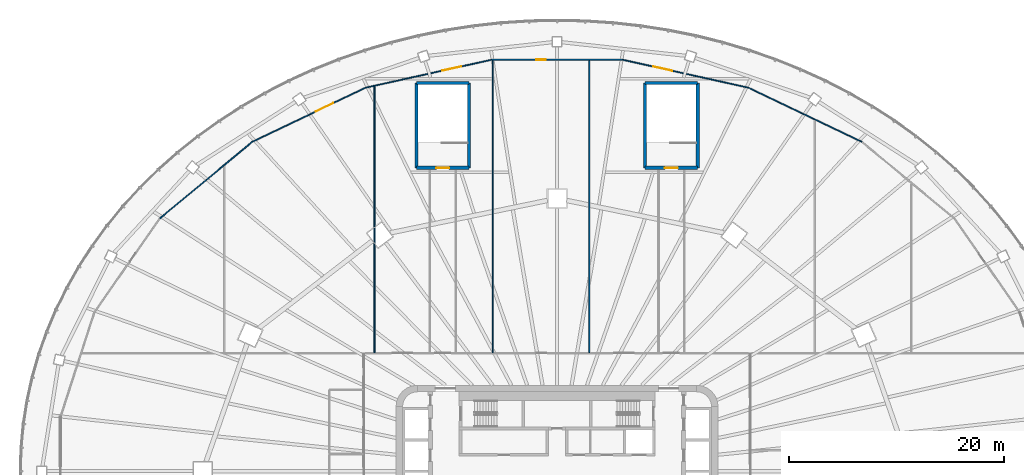
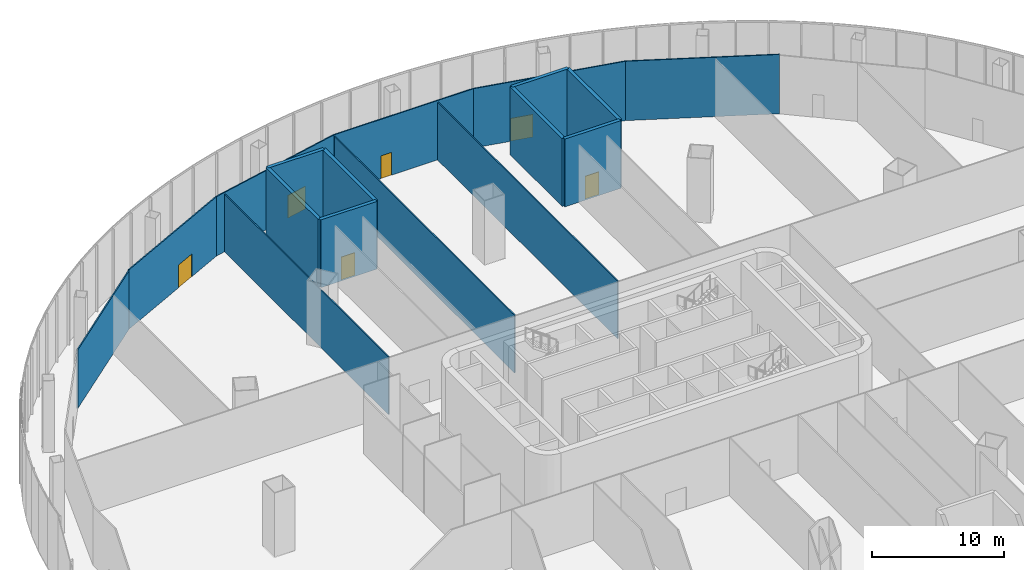
# One storey, part 26 of 33: 17 walls, 6 doors, 6 openings.
"""IFC4 building model written with IfcOpenShell, lengths in metres."""

import ifcopenshell
import ifcopenshell.guid

model = None  # the IFC model being written
_history = None  # IfcOwnerHistory: only IFC2X3 demands one
_inside = {}  # id of a spatial element -> (the spatial element, [elements in it])
_under = {}  # id of a project, library or spatial element -> (it, [spatial elements below it])
_declared = {}  # id of a project -> (the project, [libraries it declares])
_typed = {}  # id of a type object -> (the type object, [elements of that type])
_made_of = {}  # id of a material, layer set ... -> (it, [elements and type objects made of it])


def new_model(schema):
    """Start an empty IFC model of exactly this schema.

    Asked for "IFC4X3", IfcOpenShell would pick the latest addendum, in which some entities
    have other attributes; the version numbers below select the first issue.
    IFC2X3 requires an IfcOwnerHistory on every rooted entity: one is made here for all.
    """
    global model, _history
    if schema == "IFC4X3":
        model = ifcopenshell.file(schema_version=(4, 3, 0, 0))
    else:
        model = ifcopenshell.file(schema=schema)
    _inside.clear()
    _under.clear()
    _declared.clear()
    _typed.clear()
    _made_of.clear()
    _history = None
    if model.schema == "IFC2X3":
        org = make("IfcOrganization", Name="unknown")
        user = make(
            "IfcPersonAndOrganization",
            ThePerson=make("IfcPerson", FamilyName="unknown"),
            TheOrganization=org,
        )
        app = make(
            "IfcApplication",
            ApplicationDeveloper=org,
            Version="unknown",
            ApplicationFullName="unknown",
            ApplicationIdentifier="unknown",
        )
        _history = make(
            "IfcOwnerHistory",
            OwningUser=user,
            OwningApplication=app,
            ChangeAction="ADDED",
            CreationDate=0,
        )
    return model


def make(cls, **values):
    """One entity of the class cls with the attributes given. An attribute that is None is left unset."""
    return model.create_entity(
        cls, **{name: value for name, value in values.items() if value is not None}
    )


def rooted(cls, **values):
    """An entity with a GlobalId (a new one), such as an element, a storey or a relation."""
    return make(cls, GlobalId=ifcopenshell.guid.new(), OwnerHistory=_history, **values)


def si_unit(unit_type, name, prefix=None):
    """IfcSIUnit, for example si_unit("LENGTHUNIT", "METRE", prefix="MILLI")."""
    return make("IfcSIUnit", UnitType=unit_type, Prefix=prefix, Name=name)


def assignment(units):
    """IfcUnitAssignment: the units of a project."""
    return None if units is None else make("IfcUnitAssignment", Units=units)


def point(xyz):
    """IfcCartesianPoint."""
    return None if xyz is None else make("IfcCartesianPoint", Coordinates=xyz)


def direction(xyz):
    """IfcDirection."""
    return None if xyz is None else make("IfcDirection", DirectionRatios=xyz)


def frame(location, z_axis=None, x_axis=None):
    """IfcAxis2Placement3D, a coordinate frame: its origin and axes. An axis left out is left unset."""
    return make(
        "IfcAxis2Placement3D",
        Location=point(location),
        Axis=direction(z_axis),
        RefDirection=direction(x_axis),
    )


def frame_2d(location, x_axis=None):
    """IfcAxis2Placement2D, a coordinate frame in the plane: its origin and x axis."""
    return make(
        "IfcAxis2Placement2D", Location=point(location), RefDirection=direction(x_axis)
    )


def origin():
    """The frame at (0, 0, 0) with its axes left unset."""
    return frame((0.0, 0.0, 0.0))


def place(relative_to, where):
    """IfcLocalPlacement: puts the frame where relative to a parent placement (None: the world)."""
    return make(
        "IfcLocalPlacement", PlacementRelTo=relative_to, RelativePlacement=where
    )


def context(
    kind, dimensions, precision=None, world=None, true_north=None, identifier=None
):
    """IfcGeometricRepresentationContext, for example the 3D "Model" context."""
    return make(
        "IfcGeometricRepresentationContext",
        ContextIdentifier=identifier,
        ContextType=kind,
        CoordinateSpaceDimension=dimensions,
        Precision=precision,
        WorldCoordinateSystem=world,
        TrueNorth=true_north,
    )


def subcontext(parent, identifier, kind, view, scale=None):
    """IfcGeometricRepresentationSubContext, for example "Body" below "Model"."""
    return make(
        "IfcGeometricRepresentationSubContext",
        ContextIdentifier=identifier,
        ContextType=kind,
        ParentContext=parent,
        TargetScale=scale,
        TargetView=view,
    )


def project(units=None, contexts=None):
    """IfcProject with its units and contexts."""
    return rooted(
        "IfcProject",
        Name="project",
        RepresentationContexts=contexts,
        UnitsInContext=assignment(units),
    )


def spatial(cls, under=None, at=None, **own):
    """A site, building, storey or space (cls), placed at a placement, below another one or the project."""
    s = rooted(cls, ObjectPlacement=at, **own)
    if under is not None:
        _under.setdefault(under.id(), (under, []))[1].append(s)
    return s


def profile(cls, at=None, kind="AREA", **sizes):
    """A parametric profile (cls). Its sizes go by their IFC names, for example OverallWidth=200.0."""
    return make(cls, ProfileType=kind, Position=at, **sizes)


def rectangle(**sizes):
    """IfcRectangleProfileDef."""
    return profile("IfcRectangleProfileDef", **sizes)


def extrude(swept, where, along, depth):
    """IfcExtrudedAreaSolid: the profile swept, set in the frame where, extruded along a direction by depth."""
    return make(
        "IfcExtrudedAreaSolid",
        SweptArea=swept,
        Position=where,
        ExtrudedDirection=direction(along),
        Depth=depth,
    )


def shape(context_of_items, identifier, shape_type, items):
    """IfcShapeRepresentation: the items that make up one representation, for example the "Body"."""
    return make(
        "IfcShapeRepresentation",
        ContextOfItems=context_of_items,
        RepresentationIdentifier=identifier,
        RepresentationType=shape_type,
        Items=items,
    )


def material(Name=None, Category=None):
    """IfcMaterial."""
    return make("IfcMaterial", Name=Name, Category=Category)


def layer(
    of_material, thickness, ventilated=None, Name=None, Category=None, Priority=None
):
    """IfcMaterialLayer: one layer of a wall or slab, of a material (None: an air gap)."""
    return make(
        "IfcMaterialLayer",
        Material=of_material,
        LayerThickness=thickness,
        IsVentilated=ventilated,
        Name=Name,
        Category=Category,
        Priority=Priority,
    )


def layer_set(layers, Name=None):
    """IfcMaterialLayerSet."""
    return make("IfcMaterialLayerSet", MaterialLayers=layers, LayerSetName=Name)


def made_of(thing, what):
    """Note that an element or type object is made of a material, layer set ...; save() writes the relation."""
    if what is not None:
        _made_of.setdefault(what.id(), (what, []))[1].append(thing)
    return thing


def type_object(cls, material=None, **own):
    """A type object (cls), such as IfcWallType, which elements share."""
    return made_of(rooted(cls, **own), material)


def element(
    cls,
    number,
    at=None,
    inside=None,
    cuts=None,
    type_object=None,
    material=None,
    context=None,
    identifier="Body",
    shape_type=None,
    held_by="IfcProductDefinitionShape",
    body=None,
    shapes=None,
    **own,
):
    """One element of the class cls, such as IfcWall. Its Tag is "e" and its number.

    at: its placement. inside: the storey or other place that contains it. cuts: it is an
    opening in that element (IfcRelVoidsElement). A single representation is given by context,
    identifier, shape_type and body (its items); several are given by shapes. held_by: the class
    of the entity that holds the representations. save() writes the other relations.
    """
    e = rooted(cls, Tag="e%d" % number, ObjectPlacement=at, **own)
    if body is not None:
        shapes = [shape(context, identifier, shape_type, body)]
    if shapes is not None:
        e.Representation = make(held_by, Representations=shapes)
    if inside is not None:
        _inside.setdefault(inside.id(), (inside, []))[1].append(e)
    if cuts is not None:
        rooted(
            "IfcRelVoidsElement", RelatingBuildingElement=cuts, RelatedOpeningElement=e
        )
    if type_object is not None:
        _typed.setdefault(type_object.id(), (type_object, []))[1].append(e)
    return made_of(e, material)


def fill(opening, filler):
    """IfcRelFillsElement: the door or window that sits in an opening."""
    return rooted(
        "IfcRelFillsElement",
        RelatingOpeningElement=opening,
        RelatedBuildingElement=filler,
    )


def aggregate(whole, parts):
    """IfcRelAggregates: a whole, such as a stair, and the parts it consists of."""
    return rooted("IfcRelAggregates", RelatingObject=whole, RelatedObjects=parts)


def save(model, path):
    """Write the relations noted so far, then the file.

    IfcRelAggregates (storeys below a building ...), IfcRelContainedInSpatialStructure (elements
    in a storey), IfcRelDefinesByType, IfcRelAssociatesMaterial and IfcRelDeclares: one each for
    every whole, place, type object, material and project.
    """
    for whole, parts in _under.values():
        aggregate(whole, parts)
    for where, things in _inside.values():
        rooted(
            "IfcRelContainedInSpatialStructure",
            RelatedElements=things,
            RelatingStructure=where,
        )
    for kind, things in _typed.values():
        rooted("IfcRelDefinesByType", RelatedObjects=things, RelatingType=kind)
    for what, things in _made_of.values():
        rooted("IfcRelAssociatesMaterial", RelatedObjects=things, RelatingMaterial=what)
    for by, libraries in _declared.values():
        rooted("IfcRelDeclares", RelatingContext=by, RelatedDefinitions=libraries)
    model.write(path)


model = new_model("IFC4")

# Units and contexts
model_context = context("Model", 3, precision=1e-05, world=origin(), true_north=direction((0.0, 1.0)))
body_context = subcontext(model_context, "Body", "Model", "MODEL_VIEW")
ifc_project = project(units=[si_unit("LENGTHUNIT", "METRE"), si_unit("AREAUNIT", "SQUARE_METRE"), si_unit("VOLUMEUNIT", "CUBIC_METRE"), si_unit("PLANEANGLEUNIT", "RADIAN"), si_unit("MASSUNIT", "GRAM", prefix="KILO")], contexts=[model_context])

# Site, building, storey
site_placement = place(None, origin())
site = spatial("IfcSite", under=ifc_project, at=site_placement, CompositionType="ELEMENT")
building_placement = place(site_placement, origin())
building = spatial("IfcBuilding", under=site, at=building_placement, Name="Sahrelin Media Tower", CompositionType="ELEMENT")
storey_placement = place(building_placement, frame((0.0, 0.0, 37.39990234375)))
storey = spatial("IfcBuildingStorey", under=building, at=storey_placement, Name="L05", CompositionType="ELEMENT", Elevation=37.39990234375)

# Wall
ifc_material_1 = material(Name="Gypsum board partition")
ifc_layer_1 = layer(ifc_material_1, 0.10009765625)
ifc_layer_set_1 = layer_set([ifc_layer_1], Name="Partition 100")
wall_type_1 = type_object("IfcWallType", Name="Partition 100", PredefinedType="PARTITIONING", material=ifc_layer_set_1)
wall_1_placement = place(storey_placement, frame((28.398681640625, 30.6630859375, 0.0), z_axis=(0.0, 0.0, 1.0), x_axis=(-0.902100999032, 0.431524955878, 0.0)))
element("IfcWall", 1, at=wall_1_placement, inside=storey, type_object=wall_type_1, Name="Wall", PredefinedType="PARTITIONING", context=body_context, shape_type="SweptSolid", body=[
    extrude(rectangle(XDim=11.69091796875, YDim=0.10009765625, at=frame_2d((5.845458984375, 0.0))), origin(), (0.0, 0.0, 1.0), 5.47607421875),
])

# Wall, opening, door
wall_2_placement = place(storey_placement, frame((17.852294921875, 35.7080078125, 0.0), z_axis=(0.0, 0.0, 1.0), x_axis=(-0.97623471049, 0.216715920124, 0.0)))
wall_2 = element("IfcWall", 2, at=wall_2_placement, inside=storey, type_object=wall_type_1, Name="Wall", PredefinedType="PARTITIONING", context=body_context, shape_type="SweptSolid", body=[
    extrude(rectangle(XDim=12.049560546875, YDim=0.10009765625, at=frame_2d((6.02490234375, 0.0))), origin(), (0.0, 0.0, 1.0), 5.47607421875),
])
opening_1_placement = place(wall_2_placement, frame((7.2958984375, 0.0, 0.0)))
opening_1 = element("IfcOpeningElement", 3, at=opening_1_placement, cuts=wall_2, Name="Opening L05-D32", PredefinedType="OPENING", context=body_context, shape_type="SweptSolid", body=[
    extrude(rectangle(XDim=1.800048828125, YDim=2.10009765625, at=frame_2d((0.89990234375, 1.050048828125))), frame((0.0, 0.050048828125, 0.0), z_axis=(0.0, -1.0, 0.0), x_axis=(1.0, 0.0, 0.0)), (0.0, 0.0, 1.0), 0.10009765625),
])
ifc_material_2 = material(Name="Timber door leaf", Category="wood")
door_type_1 = type_object("IfcDoorType", Name="Double door 1800 x 2100", OperationType="DOUBLE_DOOR_SINGLE_SWING", PredefinedType="DOOR", material=ifc_material_2)
door_1_placement = place(opening_1_placement, origin())
door_1 = element("IfcDoor", 4, at=door_1_placement, inside=storey, type_object=door_type_1, Name="Double door", OperationType="DOUBLE_DOOR_SINGLE_SWING", OverallHeight=2.10009765625, OverallWidth=1.800048828125, PredefinedType="DOOR", context=body_context, shape_type="SweptSolid", body=[
    extrude(rectangle(XDim=1.800048828125, YDim=2.10009765625, at=frame_2d((0.89990234375, 1.050048828125))), frame((0.0, 0.02490234375, 0.0), z_axis=(0.0, -1.0, 0.0), x_axis=(1.0, 0.0, 0.0)), (0.0, 0.0, 1.0), 0.050048828125),
])
fill(opening_1, door_1)

wall_3_placement = place(storey_placement, frame((6.089111328125, 38.3193359375, 0.0), z_axis=(0.0, 0.0, 1.0), x_axis=(-1.0, 0.0, 0.0)))
wall_3 = element("IfcWall", 5, at=wall_3_placement, inside=storey, type_object=wall_type_1, Name="Wall", PredefinedType="PARTITIONING", context=body_context, shape_type="SweptSolid", body=[
    extrude(rectangle(XDim=12.17822265625, YDim=0.10009765625, at=frame_2d((6.089111328125, 0.0))), origin(), (0.0, 0.0, 1.0), 5.47607421875),
])
opening_2_placement = place(wall_3_placement, frame((7.14990234375, 0.0, 0.0)))
opening_2 = element("IfcOpeningElement", 6, at=opening_2_placement, cuts=wall_3, Name="Opening L05-D30", PredefinedType="OPENING", context=body_context, shape_type="SweptSolid", body=[
    extrude(rectangle(XDim=0.89990234375, YDim=2.10009765625, at=frame_2d((0.449951171875, 1.050048828125))), frame((0.0, 0.050048828125, 0.0), z_axis=(0.0, -1.0, 0.0), x_axis=(1.0, 0.0, 0.0)), (0.0, 0.0, 1.0), 0.10009765625),
])
door_type_2 = type_object("IfcDoorType", Name="Single door 900 x 2100", OperationType="NOTDEFINED", PredefinedType="DOOR", material=ifc_material_2)
door_2_placement = place(opening_2_placement, origin())
door_2 = element("IfcDoor", 7, at=door_2_placement, inside=storey, type_object=door_type_2, Name="Single door", OperationType="SINGLE_SWING_RIGHT", OverallHeight=2.10009765625, OverallWidth=0.89990234375, PredefinedType="DOOR", context=body_context, shape_type="SweptSolid", body=[
    extrude(rectangle(XDim=0.89990234375, YDim=2.10009765625, at=frame_2d((0.449951171875, 1.050048828125))), frame((0.0, 0.02490234375, 0.0), z_axis=(0.0, -1.0, 0.0), x_axis=(1.0, 0.0, 0.0)), (0.0, 0.0, 1.0), 0.050048828125),
])
fill(opening_2, door_2)

wall_4_placement = place(storey_placement, frame((-6.089111328125, 38.3193359375, 0.0), z_axis=(0.0, 0.0, 1.0), x_axis=(-0.97623471049, -0.216715920124, 0.0)))
wall_4 = element("IfcWall", 8, at=wall_4_placement, inside=storey, type_object=wall_type_1, Name="Wall", PredefinedType="PARTITIONING", context=body_context, shape_type="SweptSolid", body=[
    extrude(rectangle(XDim=12.049560546875, YDim=0.10009765625, at=frame_2d((6.02490234375, 0.0))), origin(), (0.0, 0.0, 1.0), 5.47607421875),
])
opening_3_placement = place(wall_4_placement, frame((2.909912109375, 0.0, 0.0)))
opening_3 = element("IfcOpeningElement", 9, at=opening_3_placement, cuts=wall_4, Name="Opening L05-D28", PredefinedType="OPENING", context=body_context, shape_type="SweptSolid", body=[
    extrude(rectangle(XDim=1.800048828125, YDim=2.10009765625, at=frame_2d((0.89990234375, 1.050048828125))), frame((0.0, 0.050048828125, 0.0), z_axis=(0.0, -1.0, 0.0), x_axis=(1.0, 0.0, 0.0)), (0.0, 0.0, 1.0), 0.10009765625),
])
door_3_placement = place(opening_3_placement, origin())
door_3 = element("IfcDoor", 10, at=door_3_placement, inside=storey, type_object=door_type_1, Name="Double door", OperationType="DOUBLE_DOOR_SINGLE_SWING", OverallHeight=2.10009765625, OverallWidth=1.800048828125, PredefinedType="DOOR", context=body_context, shape_type="SweptSolid", body=[
    extrude(rectangle(XDim=1.800048828125, YDim=2.10009765625, at=frame_2d((0.89990234375, 1.050048828125))), frame((0.0, 0.02490234375, 0.0), z_axis=(0.0, -1.0, 0.0), x_axis=(1.0, 0.0, 0.0)), (0.0, 0.0, 1.0), 0.050048828125),
])
fill(opening_3, door_3)

wall_5_placement = place(storey_placement, frame((-17.852294921875, 35.7080078125, 0.0), z_axis=(0.0, 0.0, 1.0), x_axis=(-0.902100999032, -0.431524955878, 0.0)))
wall_5 = element("IfcWall", 11, at=wall_5_placement, inside=storey, type_object=wall_type_1, Name="Wall", PredefinedType="PARTITIONING", context=body_context, shape_type="SweptSolid", body=[
    extrude(rectangle(XDim=11.69091796875, YDim=0.10009765625, at=frame_2d((5.845458984375, 0.0))), origin(), (0.0, 0.0, 1.0), 5.47607421875),
])
opening_4_placement = place(wall_5_placement, frame((3.320068359375, 0.0, 0.0)))
opening_4 = element("IfcOpeningElement", 12, at=opening_4_placement, cuts=wall_5, Name="Opening L05-D26", PredefinedType="OPENING", context=body_context, shape_type="SweptSolid", body=[
    extrude(rectangle(XDim=1.800048828125, YDim=2.10009765625, at=frame_2d((0.89990234375, 1.050048828125))), frame((0.0, 0.050048828125, 0.0), z_axis=(0.0, -1.0, 0.0), x_axis=(1.0, 0.0, 0.0)), (0.0, 0.0, 1.0), 0.10009765625),
])
door_4_placement = place(opening_4_placement, origin())
door_4 = element("IfcDoor", 13, at=door_4_placement, inside=storey, type_object=door_type_1, Name="Double door", OperationType="DOUBLE_DOOR_SINGLE_SWING", OverallHeight=2.10009765625, OverallWidth=1.800048828125, PredefinedType="DOOR", context=body_context, shape_type="SweptSolid", body=[
    extrude(rectangle(XDim=1.800048828125, YDim=2.10009765625, at=frame_2d((0.89990234375, 1.050048828125))), frame((0.0, 0.02490234375, 0.0), z_axis=(0.0, -1.0, 0.0), x_axis=(1.0, 0.0, 0.0)), (0.0, 0.0, 1.0), 0.050048828125),
])
fill(opening_4, door_4)

# Walls
wall_6_placement = place(storey_placement, frame((-28.398681640625, 30.6630859375, 0.0), z_axis=(0.0, 0.0, 1.0), x_axis=(-0.770046995363, -0.637987166746, 0.0)))
element("IfcWall", 14, at=wall_6_placement, inside=storey, type_object=wall_type_1, Name="Wall", PredefinedType="PARTITIONING", context=body_context, shape_type="SweptSolid", body=[
    extrude(rectangle(XDim=11.182861328125, YDim=0.10009765625, at=frame_2d((5.59130859375, 0.0))), origin(), (0.0, 0.0, 1.0), 5.39501953125),
])
wall_7_placement = place(storey_placement, frame((-17.0, 11.050048828125, 0.0), z_axis=(0.0, 0.0, 1.0), x_axis=(0.0, 1.0, 0.0)))
element("IfcWall", 15, at=wall_7_placement, inside=storey, type_object=wall_type_1, Name="Wall", PredefinedType="PARTITIONING", context=body_context, shape_type="SweptSolid", body=[
    extrude(rectangle(XDim=24.78466796875, YDim=0.10009765625, at=frame_2d((12.392333984375, 0.0))), origin(), (0.0, 0.0, 1.0), 5.3271484375),
])
for number, where, z_axis, x_axis, name in (
    (16, (-6.0, 11.050048828125, 0.0), (0.0, 0.0, 1.0), (0.0, 1.0, 0.0), "Wall"),
    (17, (3.0, 11.050048828125, 0.0), (0.0, 0.0, 1.0), (0.0, 1.0, 0.0), "Wall"),
):
    element("IfcWall", number, at=place(storey_placement, frame(where, z_axis=z_axis, x_axis=x_axis)), inside=storey, type_object=wall_type_1, Name=name, PredefinedType="PARTITIONING", context=body_context, shape_type="SweptSolid", body=[
        extrude(rectangle(XDim=27.21923828125, YDim=0.10009765625, at=frame_2d((13.609619140625, 0.0))), origin(), (0.0, 0.0, 1.0), 5.318359375),
    ])

# Wall, opening, door
ifc_material_3 = material(Name="Concrete C60/75", Category="concrete")
ifc_layer_2 = layer(ifc_material_3, 0.300048828125)
ifc_layer_set_2 = layer_set([ifc_layer_2], Name="Stair enclosure wall 300")
wall_type_2 = type_object("IfcWallType", Name="Stair enclosure wall 300", PredefinedType="SOLIDWALL", material=ifc_layer_set_2)
wall_8_placement = place(storey_placement, frame((13.10009765625, 28.25, 0.0), z_axis=(0.0, 0.0, 1.0), x_axis=(-1.0, 0.0, 0.0)))
wall_8 = element("IfcWall", 18, at=wall_8_placement, inside=storey, type_object=wall_type_2, Name="Stair PS1", PredefinedType="SOLIDWALL", context=body_context, shape_type="SweptSolid", body=[
    extrude(rectangle(XDim=4.900146484375, YDim=0.300048828125, at=frame_2d((2.4501953125, 0.0))), origin(), (0.0, 0.0, 1.0), 6.25),
])
opening_5_placement = place(wall_8_placement, frame((1.85009765625, 0.0, 0.0)))
opening_5 = element("IfcOpeningElement", 19, at=opening_5_placement, cuts=wall_8, Name="Opening L05-D56", PredefinedType="OPENING", context=body_context, shape_type="SweptSolid", body=[
    extrude(rectangle(XDim=1.199951171875, YDim=2.10009765625, at=frame_2d((0.60009765625, 1.050048828125))), frame((0.0, 0.14990234375, 0.0), z_axis=(0.0, -1.0, 0.0), x_axis=(1.0, 0.0, 0.0)), (0.0, 0.0, 1.0), 0.300048828125),
])
ifc_material_4 = material(Name="Steel fire door leaf", Category="steel")
door_type_3 = type_object("IfcDoorType", Name="Stair door 1200 x 2100 EI 120", OperationType="NOTDEFINED", PredefinedType="DOOR", material=ifc_material_4)
door_5_placement = place(opening_5_placement, origin())
door_5 = element("IfcDoor", 20, at=door_5_placement, inside=storey, type_object=door_type_3, Name="Stair door", OperationType="SINGLE_SWING_RIGHT", OverallHeight=2.10009765625, OverallWidth=1.199951171875, PredefinedType="DOOR", context=body_context, shape_type="SweptSolid", body=[
    extrude(rectangle(XDim=1.199951171875, YDim=2.10009765625, at=frame_2d((0.60009765625, 1.050048828125))), frame((0.0, 0.02490234375, 0.0), z_axis=(0.0, -1.0, 0.0), x_axis=(1.0, 0.0, 0.0)), (0.0, 0.0, 1.0), 0.050048828125),
])
fill(opening_5, door_5)

# Walls
wall_9_placement = place(storey_placement, frame((8.199951171875, 28.25, 0.0), z_axis=(0.0, 0.0, 1.0), x_axis=(0.0, 1.0, 0.0)))
element("IfcWall", 21, at=wall_9_placement, inside=storey, type_object=wall_type_2, Name="Stair PS1", PredefinedType="SOLIDWALL", context=body_context, shape_type="SweptSolid", body=[
    extrude(rectangle(XDim=7.89990234375, YDim=0.300048828125, at=frame_2d((3.949951171875, 0.0))), origin(), (0.0, 0.0, 1.0), 6.25),
])
wall_10_placement = place(storey_placement, frame((8.199951171875, 36.14990234375, 0.0), z_axis=(0.0, 0.0, 1.0), x_axis=(1.0, 0.0, 0.0)))
element("IfcWall", 22, at=wall_10_placement, inside=storey, type_object=wall_type_2, Name="Stair PS1", PredefinedType="SOLIDWALL", context=body_context, shape_type="SweptSolid", body=[
    extrude(rectangle(XDim=4.900146484375, YDim=0.300048828125, at=frame_2d((2.4501953125, 0.0))), origin(), (0.0, 0.0, 1.0), 6.25),
])
wall_11_placement = place(storey_placement, frame((13.10009765625, 36.14990234375, 0.0), z_axis=(0.0, 0.0, 1.0), x_axis=(0.0, -1.0, 0.0)))
element("IfcWall", 23, at=wall_11_placement, inside=storey, type_object=wall_type_2, Name="Stair PS1", PredefinedType="SOLIDWALL", context=body_context, shape_type="SweptSolid", body=[
    extrude(rectangle(XDim=7.89990234375, YDim=0.300048828125, at=frame_2d((3.949951171875, 0.0))), origin(), (0.0, 0.0, 1.0), 6.25),
])

# Wall, opening, door
wall_12_placement = place(storey_placement, frame((-8.199951171875, 28.25, 0.0), z_axis=(0.0, 0.0, 1.0), x_axis=(-1.0, 0.0, 0.0)))
wall_12 = element("IfcWall", 24, at=wall_12_placement, inside=storey, type_object=wall_type_2, Name="Stair PS2", PredefinedType="SOLIDWALL", context=body_context, shape_type="SweptSolid", body=[
    extrude(rectangle(XDim=4.900146484375, YDim=0.300048828125, at=frame_2d((2.4501953125, 0.0))), origin(), (0.0, 0.0, 1.0), 6.25),
])
opening_6_placement = place(wall_12_placement, frame((1.85009765625, 0.0, 0.0)))
opening_6 = element("IfcOpeningElement", 25, at=opening_6_placement, cuts=wall_12, Name="Opening L05-D57", PredefinedType="OPENING", context=body_context, shape_type="SweptSolid", body=[
    extrude(rectangle(XDim=1.199951171875, YDim=2.10009765625, at=frame_2d((0.60009765625, 1.050048828125))), frame((0.0, 0.14990234375, 0.0), z_axis=(0.0, -1.0, 0.0), x_axis=(1.0, 0.0, 0.0)), (0.0, 0.0, 1.0), 0.300048828125),
])
door_6_placement = place(opening_6_placement, origin())
door_6 = element("IfcDoor", 26, at=door_6_placement, inside=storey, type_object=door_type_3, Name="Stair door", OperationType="SINGLE_SWING_RIGHT", OverallHeight=2.10009765625, OverallWidth=1.199951171875, PredefinedType="DOOR", context=body_context, shape_type="SweptSolid", body=[
    extrude(rectangle(XDim=1.199951171875, YDim=2.10009765625, at=frame_2d((0.60009765625, 1.050048828125))), frame((0.0, 0.02490234375, 0.0), z_axis=(0.0, -1.0, 0.0), x_axis=(1.0, 0.0, 0.0)), (0.0, 0.0, 1.0), 0.050048828125),
])
fill(opening_6, door_6)

# Walls
wall_13_placement = place(storey_placement, frame((-13.10009765625, 28.25, 0.0), z_axis=(0.0, 0.0, 1.0), x_axis=(0.0, 1.0, 0.0)))
element("IfcWall", 27, at=wall_13_placement, inside=storey, type_object=wall_type_2, Name="Stair PS2", PredefinedType="SOLIDWALL", context=body_context, shape_type="SweptSolid", body=[
    extrude(rectangle(XDim=7.89990234375, YDim=0.300048828125, at=frame_2d((3.949951171875, 0.0))), origin(), (0.0, 0.0, 1.0), 6.25),
])
wall_14_placement = place(storey_placement, frame((-13.10009765625, 36.14990234375, 0.0), z_axis=(0.0, 0.0, 1.0), x_axis=(1.0, 0.0, 0.0)))
element("IfcWall", 28, at=wall_14_placement, inside=storey, type_object=wall_type_2, Name="Stair PS2", PredefinedType="SOLIDWALL", context=body_context, shape_type="SweptSolid", body=[
    extrude(rectangle(XDim=4.900146484375, YDim=0.300048828125, at=frame_2d((2.4501953125, 0.0))), origin(), (0.0, 0.0, 1.0), 6.25),
])
wall_15_placement = place(storey_placement, frame((-8.199951171875, 36.14990234375, 0.0), z_axis=(0.0, 0.0, 1.0), x_axis=(0.0, -1.0, 0.0)))
element("IfcWall", 29, at=wall_15_placement, inside=storey, type_object=wall_type_2, Name="Stair PS2", PredefinedType="SOLIDWALL", context=body_context, shape_type="SweptSolid", body=[
    extrude(rectangle(XDim=7.89990234375, YDim=0.300048828125, at=frame_2d((3.949951171875, 0.0))), origin(), (0.0, 0.0, 1.0), 6.25),
])

save(model, "model.ifc")
